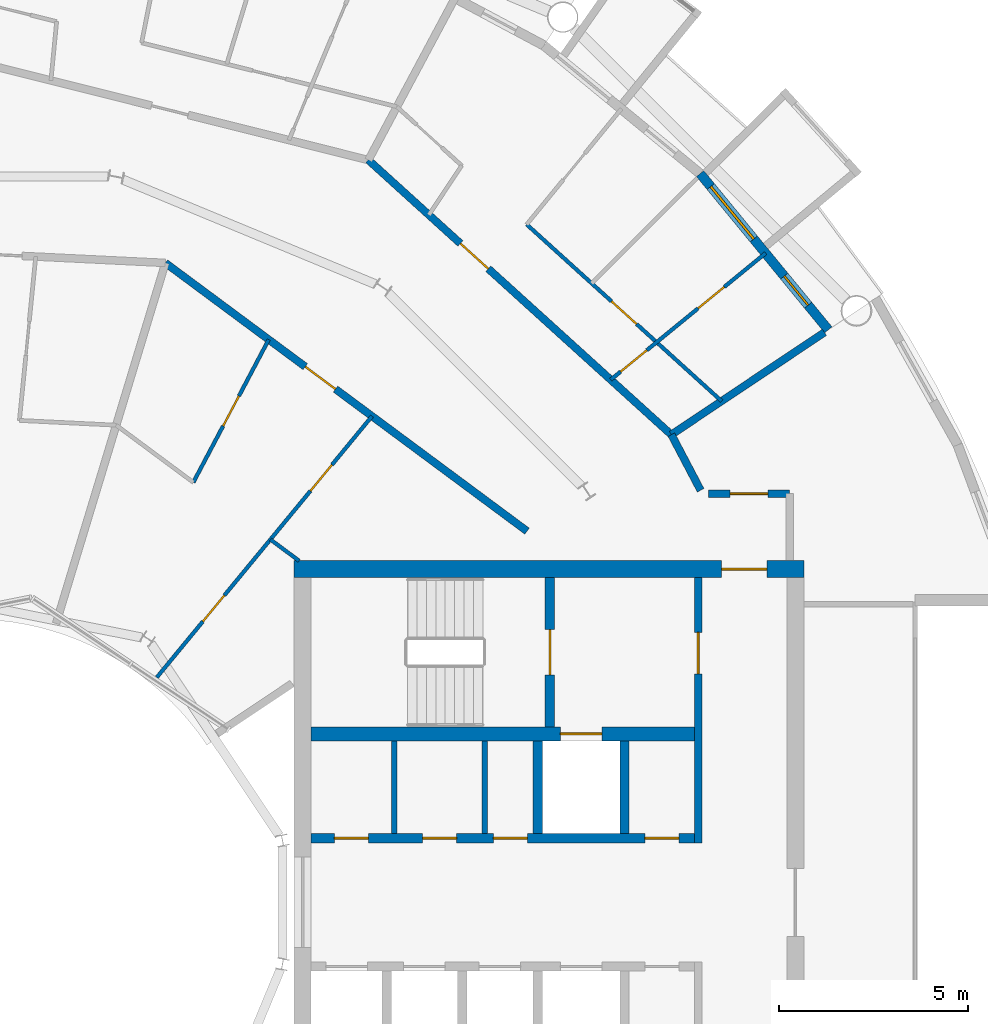
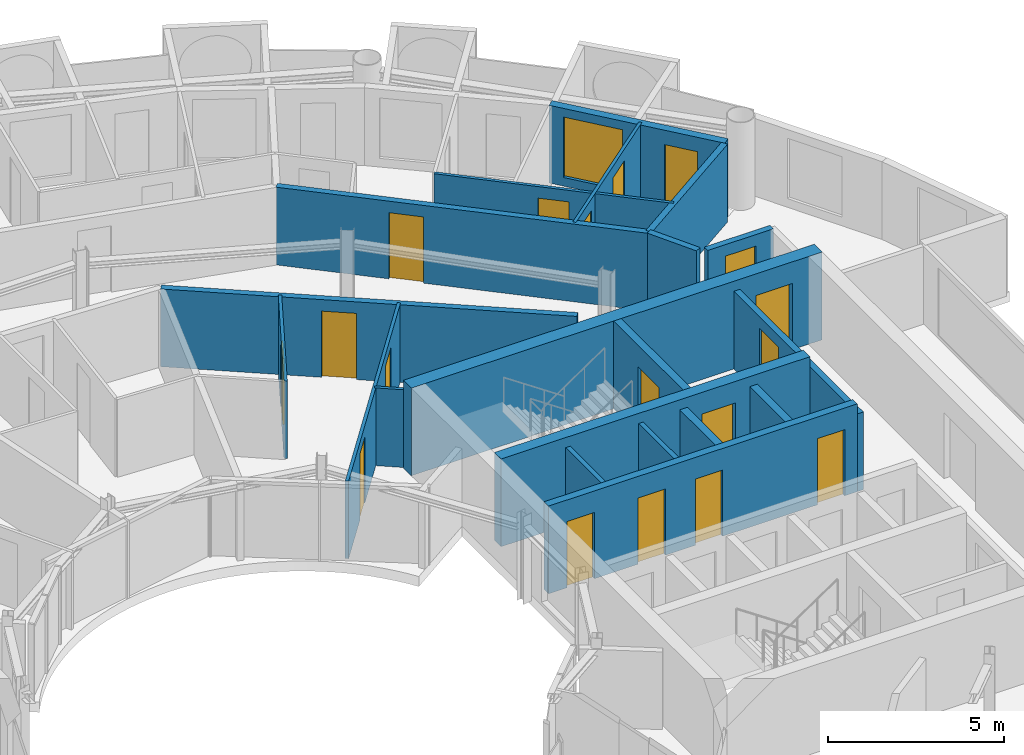
# One storey, part 23 of 29: 20 walls, 18 doors, 1 window, 19 openings.
"""IFC4 building model written with IfcOpenShell, lengths in metres."""

from ifc_helpers import new_model, si_unit, direction, frame, frame_2d, origin, place, context, subcontext, project, spatial, rectangle, extrude, material, layer, layer_set, type_object, element, fill, save


model = new_model("IFC4")

# Units and contexts
model_context = context("Model", 3, precision=1e-05, world=origin(), true_north=direction((0.0, 1.0)))
body_context = subcontext(model_context, "Body", "Model", "MODEL_VIEW")
ifc_project = project(units=[si_unit("LENGTHUNIT", "METRE"), si_unit("AREAUNIT", "SQUARE_METRE"), si_unit("VOLUMEUNIT", "CUBIC_METRE"), si_unit("PLANEANGLEUNIT", "RADIAN"), si_unit("MASSUNIT", "GRAM", prefix="KILO")], contexts=[model_context])

# Site, building, storey
site_placement = place(None, origin())
site = spatial("IfcSite", under=ifc_project, at=site_placement, CompositionType="ELEMENT")
building_placement = place(site_placement, origin())
building = spatial("IfcBuilding", under=site, at=building_placement, Name="Maasbend Ring Residences", CompositionType="ELEMENT")
storey_placement = place(building_placement, frame((0.0, 0.0, 193.25)))
storey = spatial("IfcBuildingStorey", under=building, at=storey_placement, Name="L55", CompositionType="ELEMENT", Elevation=193.25)

# Wall, openings, doors
ifc_material_1 = material(Name="Concrete C50/60", Category="concrete")
ifc_layer_1 = layer(ifc_material_1, 0.25)
ifc_layer_set_1 = layer_set([ifc_layer_1], Name="Concrete C50/60")
wall_type_1 = type_object("IfcWallType", Name="CORE WALL 250 C50/60", PredefinedType="SHEAR", material=ifc_layer_set_1)
wall_1_placement = place(storey_placement, frame((9.0, 1.699951171875, 0.0), z_axis=(0.0, 0.0, 1.0), x_axis=(1.0, 0.0, 0.0)))
wall_1 = element("IfcWall", 1, at=wall_1_placement, inside=storey, type_object=wall_type_1, Name="L55 core E wall SPN", PredefinedType="SHEAR", context=body_context, shape_type="SweptSolid", body=[
    extrude(rectangle(XDim=10.14990234375, YDim=0.25, at=frame_2d((5.074951171875, 0.0))), origin(), (0.0, 0.0, 1.0), 3.050048828125),
])
opening_1_placement = place(wall_1_placement, frame((0.612548828125, 0.0, 0.0)))
opening_1 = element("IfcOpeningElement", 2, at=opening_1_placement, cuts=wall_1, Name="Opening D-E5506", PredefinedType="OPENING", context=body_context, shape_type="SweptSolid", body=[
    extrude(rectangle(XDim=0.89990234375, YDim=2.300048828125, at=frame_2d((0.449951171875, 1.14990234375))), frame((0.0, 0.135009765625, 0.0), z_axis=(0.0, -1.0, 0.0), x_axis=(1.0, 0.0, 0.0)), (0.0, 0.0, 1.0), 0.27001953125),
])
opening_2_placement = place(wall_1_placement, frame((2.949951171875, 0.0, 0.0)))
opening_2 = element("IfcOpeningElement", 3, at=opening_2_placement, cuts=wall_1, Name="Opening D-E5507", PredefinedType="OPENING", context=body_context, shape_type="SweptSolid", body=[
    extrude(rectangle(XDim=0.89990234375, YDim=2.300048828125, at=frame_2d((0.449951171875, 1.14990234375))), frame((0.0, 0.135009765625, 0.0), z_axis=(0.0, -1.0, 0.0), x_axis=(1.0, 0.0, 0.0)), (0.0, 0.0, 1.0), 0.27001953125),
])
opening_3_placement = place(wall_1_placement, frame((4.824951171875, 0.0, 0.0)))
opening_3 = element("IfcOpeningElement", 4, at=opening_3_placement, cuts=wall_1, Name="Opening D-E5508", PredefinedType="OPENING", context=body_context, shape_type="SweptSolid", body=[
    extrude(rectangle(XDim=0.89990234375, YDim=2.300048828125, at=frame_2d((0.449951171875, 1.14990234375))), frame((0.0, 0.135009765625, 0.0), z_axis=(0.0, -1.0, 0.0), x_axis=(1.0, 0.0, 0.0)), (0.0, 0.0, 1.0), 0.27001953125),
])
opening_4_placement = place(wall_1_placement, frame((8.83740234375, 0.0, 0.0)))
opening_4 = element("IfcOpeningElement", 5, at=opening_4_placement, cuts=wall_1, Name="Opening D-E5509", PredefinedType="OPENING", context=body_context, shape_type="SweptSolid", body=[
    extrude(rectangle(XDim=0.89990234375, YDim=2.300048828125, at=frame_2d((0.449951171875, 1.14990234375))), frame((0.0, 0.135009765625, 0.0), z_axis=(0.0, -1.0, 0.0), x_axis=(1.0, 0.0, 0.0)), (0.0, 0.0, 1.0), 0.27001953125),
])
ifc_material_2 = material(Name="Steel, powder coated", Category="steel")
door_type_1 = type_object("IfcDoorType", Name="ROOM DOOR 900 X 2300 FD30S", OperationType="NOTDEFINED", PredefinedType="DOOR", material=ifc_material_2)
door_1_placement = place(opening_1_placement, origin())
door_1 = element("IfcDoor", 6, at=door_1_placement, inside=storey, type_object=door_type_1, Name="Room door L55", OperationType="SINGLE_SWING_RIGHT", OverallHeight=2.300048828125, OverallWidth=0.89990234375, PredefinedType="DOOR", context=body_context, shape_type="SweptSolid", body=[
    extrude(rectangle(XDim=0.89990234375, YDim=2.300048828125, at=frame_2d((0.449951171875, 1.14990234375))), frame((0.0, 0.02490234375, 0.0), z_axis=(0.0, -1.0, 0.0), x_axis=(1.0, 0.0, 0.0)), (0.0, 0.0, 1.0), 0.050048828125),
])
fill(opening_1, door_1)
door_2_placement = place(opening_2_placement, origin())
door_2 = element("IfcDoor", 7, at=door_2_placement, inside=storey, type_object=door_type_1, Name="Room door L55", OperationType="SINGLE_SWING_RIGHT", OverallHeight=2.300048828125, OverallWidth=0.89990234375, PredefinedType="DOOR", context=body_context, shape_type="SweptSolid", body=[
    extrude(rectangle(XDim=0.89990234375, YDim=2.300048828125, at=frame_2d((0.449951171875, 1.14990234375))), frame((0.0, 0.02490234375, 0.0), z_axis=(0.0, -1.0, 0.0), x_axis=(1.0, 0.0, 0.0)), (0.0, 0.0, 1.0), 0.050048828125),
])
fill(opening_2, door_2)
door_3_placement = place(opening_3_placement, origin())
door_3 = element("IfcDoor", 8, at=door_3_placement, inside=storey, type_object=door_type_1, Name="Room door L55", OperationType="SINGLE_SWING_LEFT", OverallHeight=2.300048828125, OverallWidth=0.89990234375, PredefinedType="DOOR", context=body_context, shape_type="SweptSolid", body=[
    extrude(rectangle(XDim=0.89990234375, YDim=2.300048828125, at=frame_2d((0.449951171875, 1.14990234375))), frame((0.0, 0.02490234375, 0.0), z_axis=(0.0, -1.0, 0.0), x_axis=(1.0, 0.0, 0.0)), (0.0, 0.0, 1.0), 0.050048828125),
])
fill(opening_3, door_3)
door_4_placement = place(opening_4_placement, origin())
door_4 = element("IfcDoor", 9, at=door_4_placement, inside=storey, type_object=door_type_1, Name="Room door L55", OperationType="SINGLE_SWING_LEFT", OverallHeight=2.300048828125, OverallWidth=0.89990234375, PredefinedType="DOOR", context=body_context, shape_type="SweptSolid", body=[
    extrude(rectangle(XDim=0.89990234375, YDim=2.300048828125, at=frame_2d((0.449951171875, 1.14990234375))), frame((0.0, 0.02490234375, 0.0), z_axis=(0.0, -1.0, 0.0), x_axis=(1.0, 0.0, 0.0)), (0.0, 0.0, 1.0), 0.050048828125),
])
fill(opening_4, door_4)

# Wall, opening, door
wall_2_placement = place(storey_placement, frame((15.324951171875, 4.64990234375, 0.0), z_axis=(0.0, 0.0, 1.0), x_axis=(0.0, 1.0, 0.0)))
wall_2 = element("IfcWall", 10, at=wall_2_placement, inside=storey, type_object=wall_type_1, Name="L55 core E wall STEN", PredefinedType="SHEAR", context=body_context, shape_type="SweptSolid", body=[
    extrude(rectangle(XDim=3.9501953125, YDim=0.25, at=frame_2d((1.97509765625, 0.0))), origin(), (0.0, 0.0, 1.0), 3.050048828125),
])
opening_5_placement = place(wall_2_placement, frame((1.375, 0.0, 0.0)))
opening_5 = element("IfcOpeningElement", 11, at=opening_5_placement, cuts=wall_2, Name="Opening D-E5512", PredefinedType="OPENING", context=body_context, shape_type="SweptSolid", body=[
    extrude(rectangle(XDim=1.199951171875, YDim=2.300048828125, at=frame_2d((0.60009765625, 1.14990234375))), frame((0.0, 0.135009765625, 0.0), z_axis=(0.0, -1.0, 0.0), x_axis=(1.0, 0.0, 0.0)), (0.0, 0.0, 1.0), 0.27001953125),
])
ifc_material_3 = material(Name="Steel, powder coated", Category="steel")
door_type_2 = type_object("IfcDoorType", Name="STAIR DOOR 1200 X 2300 FD60", OperationType="NOTDEFINED", PredefinedType="DOOR", material=ifc_material_3)
door_5_placement = place(opening_5_placement, origin())
door_5 = element("IfcDoor", 12, at=door_5_placement, inside=storey, type_object=door_type_2, Name="Stair door ST-E L55", OperationType="SINGLE_SWING_LEFT", OverallHeight=2.300048828125, OverallWidth=1.199951171875, PredefinedType="DOOR", context=body_context, shape_type="SweptSolid", body=[
    extrude(rectangle(XDim=1.199951171875, YDim=2.300048828125, at=frame_2d((0.60009765625, 1.14990234375))), frame((0.0, 0.02490234375, 0.0), z_axis=(0.0, -1.0, 0.0), x_axis=(1.0, 0.0, 0.0)), (0.0, 0.0, 1.0), 0.050048828125),
])
fill(opening_5, door_5)

ifc_material_4 = material(Name="Concrete C50/60", Category="concrete")
ifc_layer_2 = layer(ifc_material_4, 0.375)
ifc_layer_set_2 = layer_set([ifc_layer_2], Name="Concrete C50/60")
wall_type_2 = type_object("IfcWallType", Name="CORE WALL 375 C50/60", PredefinedType="SHEAR", material=ifc_layer_set_2)
wall_3_placement = place(storey_placement, frame((9.0, 4.46240234375, 0.0), z_axis=(0.0, 0.0, 1.0), x_axis=(1.0, 0.0, 0.0)))
wall_3 = element("IfcWall", 13, at=wall_3_placement, inside=storey, type_object=wall_type_2, Name="L55 core E wall BN", PredefinedType="SHEAR", context=body_context, shape_type="SweptSolid", body=[
    extrude(rectangle(XDim=10.14990234375, YDim=0.375, at=frame_2d((5.074951171875, 0.0))), origin(), (0.0, 0.0, 1.0), 3.050048828125),
])
opening_6_placement = place(wall_3_placement, frame((6.60009765625, 0.0, 0.0)))
opening_6 = element("IfcOpeningElement", 14, at=opening_6_placement, cuts=wall_3, Name="Opening LD-E5501", PredefinedType="OPENING", context=body_context, shape_type="SweptSolid", body=[
    extrude(rectangle(XDim=1.10009765625, YDim=2.300048828125, at=frame_2d((0.550048828125, 1.14990234375))), frame((0.0, 0.197509765625, 0.0), z_axis=(0.0, -1.0, 0.0), x_axis=(1.0, 0.0, 0.0)), (0.0, 0.0, 1.0), 0.39501953125),
])
ifc_material_5 = material(Name="Stainless steel 316", Category="steel")
door_type_3 = type_object("IfcDoorType", Name="LANDING DOOR 1100 X 2300 FD60", OperationType="DOUBLE_DOOR_SLIDING", PredefinedType="DOOR", material=ifc_material_5)
door_6_placement = place(opening_6_placement, origin())
door_6 = element("IfcDoor", 15, at=door_6_placement, inside=storey, type_object=door_type_3, Name="Landing door FF-E L55", OperationType="DOUBLE_DOOR_SLIDING", OverallHeight=2.300048828125, OverallWidth=1.10009765625, PredefinedType="DOOR", context=body_context, shape_type="SweptSolid", body=[
    extrude(rectangle(XDim=1.10009765625, YDim=2.300048828125, at=frame_2d((0.550048828125, 1.14990234375))), frame((0.0, 0.02490234375, 0.0), z_axis=(0.0, -1.0, 0.0), x_axis=(1.0, 0.0, 0.0)), (0.0, 0.0, 1.0), 0.050048828125),
])
fill(opening_6, door_6)

ifc_material_6 = material(Name="Concrete C50/60", Category="concrete")
ifc_layer_3 = layer(ifc_material_6, 0.449951171875)
ifc_layer_set_3 = layer_set([ifc_layer_3], Name="Concrete C50/60")
wall_type_3 = type_object("IfcWallType", Name="CORE WALL 450 C50/60", PredefinedType="SHEAR", material=ifc_layer_set_3)
wall_4_placement = place(storey_placement, frame((22.050048828125, 8.824951171875, 0.0), z_axis=(0.0, 0.0, 1.0), x_axis=(-1.0, 0.0, 0.0)))
wall_4 = element("IfcWall", 16, at=wall_4_placement, inside=storey, type_object=wall_type_3, Name="L55 core E wall PN", PredefinedType="SHEAR", context=body_context, shape_type="SweptSolid", body=[
    extrude(rectangle(XDim=13.5, YDim=0.449951171875, at=frame_2d((6.75, 0.0))), origin(), (0.0, 0.0, 1.0), 3.050048828125),
])
opening_7_placement = place(wall_4_placement, frame((0.97509765625, 0.0, 0.0)))
opening_7 = element("IfcOpeningElement", 17, at=opening_7_placement, cuts=wall_4, Name="Opening D-E5516", PredefinedType="OPENING", context=body_context, shape_type="SweptSolid", body=[
    extrude(rectangle(XDim=1.199951171875, YDim=2.300048828125, at=frame_2d((0.60009765625, 1.14990234375))), frame((0.0, 0.23486328125, 0.0), z_axis=(0.0, -1.0, 0.0), x_axis=(1.0, 0.0, 0.0)), (0.0, 0.0, 1.0), 0.469970703125),
])
ifc_material_7 = material(Name="Steel, powder coated", Category="steel")
door_type_4 = type_object("IfcDoorType", Name="CORRIDOR DOOR 1200 X 2300 FD30S", OperationType="NOTDEFINED", PredefinedType="DOOR", material=ifc_material_7)
door_7_placement = place(opening_7_placement, origin())
door_7 = element("IfcDoor", 18, at=door_7_placement, inside=storey, type_object=door_type_4, Name="Corridor door L55", OperationType="SINGLE_SWING_RIGHT", OverallHeight=2.300048828125, OverallWidth=1.199951171875, PredefinedType="DOOR", context=body_context, shape_type="SweptSolid", body=[
    extrude(rectangle(XDim=1.199951171875, YDim=2.300048828125, at=frame_2d((0.60009765625, 1.14990234375))), frame((0.0, 0.02490234375, 0.0), z_axis=(0.0, -1.0, 0.0), x_axis=(1.0, 0.0, 0.0)), (0.0, 0.0, 1.0), 0.050048828125),
])
fill(opening_7, door_7)

ifc_material_8 = material(Name="Concrete C30/37", Category="concrete")
ifc_layer_4 = layer(ifc_material_8, 0.199951171875)
ifc_layer_set_4 = layer_set([ifc_layer_4], Name="Concrete C30/37")
wall_type_4 = type_object("IfcWallType", Name="CORRIDOR WALL 200 CONCRETE", PredefinedType="PARTITIONING", material=ifc_layer_set_4)
wall_5_placement = place(storey_placement, frame((19.52294921875, 10.824951171875, 0.0), z_axis=(0.0, 0.0, 1.0), x_axis=(1.0, 0.0, 0.0)))
wall_5 = element("IfcWall", 19, at=wall_5_placement, inside=storey, type_object=wall_type_4, Name="U-L55-w094", PredefinedType="PARTITIONING", context=body_context, shape_type="SweptSolid", body=[
    extrude(rectangle(XDim=2.152099609375, YDim=0.199951171875, at=frame_2d((1.076171875, 0.0))), origin(), (0.0, 0.0, 1.0), 2.699951171875),
])
opening_8_placement = place(wall_5_placement, frame((0.575927734375, 0.0, 0.0)))
opening_8 = element("IfcOpeningElement", 20, at=opening_8_placement, cuts=wall_5, Name="Opening D-5574", PredefinedType="OPENING", context=body_context, shape_type="SweptSolid", body=[
    extrude(rectangle(XDim=1.0, YDim=2.300048828125, at=frame_2d((0.5, 1.14990234375))), frame((0.0, 0.10986328125, 0.0), z_axis=(0.0, -1.0, 0.0), x_axis=(1.0, 0.0, 0.0)), (0.0, 0.0, 1.0), 0.219970703125),
])
ifc_material_9 = material(Name="Timber, painted", Category="wood")
door_type_5 = type_object("IfcDoorType", Name="ROOM DOOR 1000 X 2300", OperationType="NOTDEFINED", PredefinedType="DOOR", material=ifc_material_9)
door_8_placement = place(opening_8_placement, origin())
door_8 = element("IfcDoor", 21, at=door_8_placement, inside=storey, type_object=door_type_5, Name="D-5574", OperationType="SINGLE_SWING_LEFT", OverallHeight=2.300048828125, OverallWidth=1.0, PredefinedType="DOOR", context=body_context, shape_type="SweptSolid", body=[
    extrude(rectangle(XDim=1.0, YDim=2.300048828125, at=frame_2d((0.5, 1.14990234375))), frame((0.0, 0.02490234375, 0.0), z_axis=(0.0, -1.0, 0.0), x_axis=(1.0, 0.0, 0.0)), (0.0, 0.0, 1.0), 0.050048828125),
])
fill(opening_8, door_8)

wall_6_placement = place(storey_placement, frame((5.136962890625, 16.93798828125, 0.0), z_axis=(0.0, 0.0, 1.0), x_axis=(0.803240181354, -0.595655278712, 0.0)))
wall_6 = element("IfcWall", 22, at=wall_6_placement, inside=storey, type_object=wall_type_4, Name="U-L55-w102", PredefinedType="PARTITIONING", context=body_context, shape_type="SweptSolid", body=[
    extrude(rectangle(XDim=11.927978515625, YDim=0.199951171875, at=frame_2d((5.9638671875, 0.0))), origin(), (0.0, 0.0, 1.0), 2.699951171875),
])
opening_9_placement = place(wall_6_placement, frame((4.612060546875, 0.0, 0.0)))
opening_9 = element("IfcOpeningElement", 23, at=opening_9_placement, cuts=wall_6, Name="Opening D-5525", PredefinedType="OPENING", context=body_context, shape_type="SweptSolid", body=[
    extrude(rectangle(XDim=1.0, YDim=2.300048828125, at=frame_2d((0.5, 1.14990234375))), frame((0.0, 0.10986328125, 0.0), z_axis=(0.0, -1.0, 0.0), x_axis=(1.0, 0.0, 0.0)), (0.0, 0.0, 1.0), 0.219970703125),
])
ifc_material_10 = material(Name="Timber, fire-rated, painted", Category="wood")
door_type_6 = type_object("IfcDoorType", Name="FLAT ENTRANCE DOOR 1000 X 2300 FIRE-RATED", OperationType="NOTDEFINED", PredefinedType="DOOR", material=ifc_material_10)
door_9_placement = place(opening_9_placement, origin())
door_9 = element("IfcDoor", 24, at=door_9_placement, inside=storey, type_object=door_type_6, Name="D-5525", OperationType="SINGLE_SWING_LEFT", OverallHeight=2.300048828125, OverallWidth=1.0, PredefinedType="DOOR", context=body_context, shape_type="SweptSolid", body=[
    extrude(rectangle(XDim=1.0, YDim=2.300048828125, at=frame_2d((0.5, 1.14990234375))), frame((0.0, 0.02490234375, 0.0), z_axis=(0.0, -1.0, 0.0), x_axis=(1.0, 0.0, 0.0)), (0.0, 0.0, 1.0), 0.050048828125),
])
fill(opening_9, door_9)

wall_7_placement = place(storey_placement, frame((10.511962890625, 19.6669921875, 0.0), z_axis=(0.0, 0.0, 1.0), x_axis=(0.740853508928, -0.671666642248, 0.0)))
wall_7 = element("IfcWall", 25, at=wall_7_placement, inside=storey, type_object=wall_type_4, Name="U-L55-w107", PredefinedType="PARTITIONING", context=body_context, shape_type="SweptSolid", body=[
    extrude(rectangle(XDim=10.840087890625, YDim=0.199951171875, at=frame_2d((5.419921875, 0.0))), origin(), (0.0, 0.0, 1.0), 2.699951171875),
])
opening_10_placement = place(wall_7_placement, frame((3.29296875, 0.0, 0.0)))
opening_10 = element("IfcOpeningElement", 26, at=opening_10_placement, cuts=wall_7, Name="Opening D-5501", PredefinedType="OPENING", context=body_context, shape_type="SweptSolid", body=[
    extrude(rectangle(XDim=1.0, YDim=2.300048828125, at=frame_2d((0.5, 1.14990234375))), frame((0.0, 0.10986328125, 0.0), z_axis=(0.0, -1.0, 0.0), x_axis=(1.0, 0.0, 0.0)), (0.0, 0.0, 1.0), 0.219970703125),
])
door_10_placement = place(opening_10_placement, origin())
door_10 = element("IfcDoor", 27, at=door_10_placement, inside=storey, type_object=door_type_6, Name="D-5501", OperationType="SINGLE_SWING_LEFT", OverallHeight=2.300048828125, OverallWidth=1.0, PredefinedType="DOOR", context=body_context, shape_type="SweptSolid", body=[
    extrude(rectangle(XDim=1.0, YDim=2.300048828125, at=frame_2d((0.5, 1.14990234375))), frame((0.0, 0.02490234375, 0.0), z_axis=(0.0, -1.0, 0.0), x_axis=(1.0, 0.0, 0.0)), (0.0, 0.0, 1.0), 0.050048828125),
])
fill(opening_10, door_10)

# Wall
wall_8_placement = place(storey_placement, frame((18.5419921875, 12.388916015625, 0.0), z_axis=(0.0, 0.0, 1.0), x_axis=(0.465359652486, -0.885121683068, 0.0)))
element("IfcWall", 28, at=wall_8_placement, inside=storey, type_object=wall_type_4, Name="U-L55-w111", PredefinedType="PARTITIONING", context=body_context, shape_type="SweptSolid", body=[
    extrude(rectangle(XDim=1.665283203125, YDim=0.199951171875, at=frame_2d((0.83251953125, 0.0))), origin(), (0.0, 0.0, 1.0), 2.699951171875),
])

# Wall, openings, door, window
ifc_material_11 = material(Name="Aluminium clad insulated panel", Category="aluminium")
ifc_layer_5 = layer(ifc_material_11, 0.25)
ifc_layer_set_5 = layer_set([ifc_layer_5], Name="EW-GL")
wall_type_5 = type_object("IfcWallType", Name="EW-GL", PredefinedType="SOLIDWALL", material=ifc_layer_set_5)
wall_9_placement = place(storey_placement, frame((22.698974609375, 15.1669921875, 0.0), z_axis=(0.0, 0.0, 1.0), x_axis=(-0.634382322723, 0.773019449054, 0.0)))
wall_9 = element("IfcWall", 29, at=wall_9_placement, inside=storey, type_object=wall_type_5, Name="External wall N01", PredefinedType="SOLIDWALL", context=body_context, shape_type="SweptSolid", body=[
    extrude(rectangle(XDim=5.351806640625, YDim=0.25, at=frame_2d((2.67578125, 0.0))), origin(), (0.0, 0.0, 1.0), 2.699951171875),
])
opening_11_placement = place(wall_9_placement, frame((0.841064453125, 0.0, 0.0)))
opening_11 = element("IfcOpeningElement", 30, at=opening_11_placement, cuts=wall_9, Name="Opening D-LG", PredefinedType="OPENING", context=body_context, shape_type="SweptSolid", body=[
    extrude(rectangle(XDim=1.0, YDim=2.199951171875, at=frame_2d((0.5, 1.10009765625))), frame((0.0, 0.135009765625, 0.0), z_axis=(0.0, -1.0, 0.0), x_axis=(1.0, 0.0, 0.0)), (0.0, 0.0, 1.0), 0.27001953125),
])
opening_12_placement = place(wall_9_placement, frame((3.110595703125, 0.0, 0.300048828125)))
opening_12 = element("IfcOpeningElement", 31, at=opening_12_placement, cuts=wall_9, Name="Opening W-BX", PredefinedType="OPENING", context=body_context, shape_type="SweptSolid", body=[
    extrude(rectangle(XDim=1.800048828125, YDim=2.10009765625, at=frame_2d((0.89990234375, 1.050048828125))), frame((0.0, 0.135009765625, 0.0), z_axis=(0.0, -1.0, 0.0), x_axis=(1.0, 0.0, 0.0)), (0.0, 0.0, 1.0), 0.27001953125),
])
ifc_material_12 = material(Name="Aluminium and clear glass", Category="aluminium")
door_type_7 = type_object("IfcDoorType", Name="D-LG", OperationType="SINGLE_SWING_LEFT", PredefinedType="DOOR", material=ifc_material_12)
door_11_placement = place(opening_11_placement, origin())
door_11 = element("IfcDoor", 32, at=door_11_placement, inside=storey, type_object=door_type_7, Name="Loggia door N01", OperationType="SINGLE_SWING_LEFT", OverallHeight=2.199951171875, OverallWidth=1.0, PredefinedType="DOOR", context=body_context, shape_type="SweptSolid", body=[
    extrude(rectangle(XDim=1.0, YDim=2.199951171875, at=frame_2d((0.5, 1.10009765625))), frame((0.0, 0.02490234375, 0.0), z_axis=(0.0, -1.0, 0.0), x_axis=(1.0, 0.0, 0.0)), (0.0, 0.0, 1.0), 0.050048828125),
])
fill(opening_11, door_11)
ifc_material_13 = material(Name="Aluminium and clear glass", Category="aluminium")
window_type = type_object("IfcWindowType", Name="W-BX", PartitioningType="DOUBLE_PANEL_VERTICAL", PredefinedType="WINDOW", material=ifc_material_13)
window_placement = place(opening_12_placement, origin())
window = element("IfcWindow", 33, at=window_placement, inside=storey, type_object=window_type, Name="Window N02 room to box", OverallHeight=2.10009765625, OverallWidth=1.800048828125, PartitioningType="SINGLE_PANEL", PredefinedType="WINDOW", context=body_context, shape_type="SweptSolid", body=[
    extrude(rectangle(XDim=1.800048828125, YDim=2.10009765625, at=frame_2d((0.89990234375, 1.050048828125))), frame((0.0, 0.030029296875, 0.0), z_axis=(0.0, -1.0, 0.0), x_axis=(1.0, 0.0, 0.0)), (0.0, 0.0, 1.0), 0.06005859375),
])
fill(opening_12, window)

# Wall, openings, doors
ifc_material_14 = material(Name="Gypsum board on steel studs", Category="steel")
ifc_layer_6 = layer(ifc_material_14, 0.10009765625)
ifc_layer_set_6 = layer_set([ifc_layer_6], Name="PARTITION 100 GYPSUM")
wall_type_6 = type_object("IfcWallType", Name="PARTITION 100 GYPSUM", PredefinedType="PARTITIONING", material=ifc_layer_set_6)
wall_10_placement = place(storey_placement, frame((4.908935546875, 5.9580078125, 0.0), z_axis=(0.0, 0.0, 1.0), x_axis=(0.635879010442, 0.771788756124, 0.0)))
wall_10 = element("IfcWall", 34, at=wall_10_placement, inside=storey, type_object=wall_type_6, Name="U-L55-w073", PredefinedType="PARTITIONING", context=body_context, shape_type="SweptSolid", body=[
    extrude(rectangle(XDim=8.96728515625, YDim=0.10009765625, at=frame_2d((4.483642578125, 0.0))), origin(), (0.0, 0.0, 1.0), 2.699951171875),
])
opening_13_placement = place(wall_10_placement, frame((6.39990234375, 0.0, 0.0)))
opening_13 = element("IfcOpeningElement", 35, at=opening_13_placement, cuts=wall_10, Name="Opening D-5527", PredefinedType="OPENING", context=body_context, shape_type="SweptSolid", body=[
    extrude(rectangle(XDim=0.89990234375, YDim=2.300048828125, at=frame_2d((0.449951171875, 1.14990234375))), frame((0.0, 0.06005859375, 0.0), z_axis=(0.0, -1.0, 0.0), x_axis=(1.0, 0.0, 0.0)), (0.0, 0.0, 1.0), 0.1201171875),
])
opening_14_placement = place(wall_10_placement, frame((1.9169921875, 0.0, 0.0)))
opening_14 = element("IfcOpeningElement", 36, at=opening_14_placement, cuts=wall_10, Name="Opening D-5528", PredefinedType="OPENING", context=body_context, shape_type="SweptSolid", body=[
    extrude(rectangle(XDim=0.89990234375, YDim=2.300048828125, at=frame_2d((0.449951171875, 1.14990234375))), frame((0.0, 0.06005859375, 0.0), z_axis=(0.0, -1.0, 0.0), x_axis=(1.0, 0.0, 0.0)), (0.0, 0.0, 1.0), 0.1201171875),
])
ifc_material_15 = material(Name="Timber, painted", Category="wood")
door_type_8 = type_object("IfcDoorType", Name="INTERNAL DOOR 900 X 2300", OperationType="NOTDEFINED", PredefinedType="DOOR", material=ifc_material_15)
door_12_placement = place(opening_13_placement, origin())
door_12 = element("IfcDoor", 37, at=door_12_placement, inside=storey, type_object=door_type_8, Name="D-5527", OperationType="SINGLE_SWING_RIGHT", OverallHeight=2.300048828125, OverallWidth=0.89990234375, PredefinedType="DOOR", context=body_context, shape_type="SweptSolid", body=[
    extrude(rectangle(XDim=0.89990234375, YDim=2.300048828125, at=frame_2d((0.449951171875, 1.14990234375))), frame((0.0, 0.02490234375, 0.0), z_axis=(0.0, -1.0, 0.0), x_axis=(1.0, 0.0, 0.0)), (0.0, 0.0, 1.0), 0.050048828125),
])
fill(opening_13, door_12)
door_13_placement = place(opening_14_placement, origin())
door_13 = element("IfcDoor", 38, at=door_13_placement, inside=storey, type_object=door_type_8, Name="D-5528", OperationType="SINGLE_SWING_LEFT", OverallHeight=2.300048828125, OverallWidth=0.89990234375, PredefinedType="DOOR", context=body_context, shape_type="SweptSolid", body=[
    extrude(rectangle(XDim=0.89990234375, YDim=2.300048828125, at=frame_2d((0.449951171875, 1.14990234375))), frame((0.0, 0.02490234375, 0.0), z_axis=(0.0, -1.0, 0.0), x_axis=(1.0, 0.0, 0.0)), (0.0, 0.0, 1.0), 0.050048828125),
])
fill(opening_14, door_13)

# Wall, opening, door
wall_11_placement = place(storey_placement, frame((5.876953125, 11.125, 0.0), z_axis=(0.0, 0.0, 1.0), x_axis=(0.467030118529, 0.884241408432, 0.0)))
wall_11 = element("IfcWall", 39, at=wall_11_placement, inside=storey, type_object=wall_type_6, Name="U-L55-w075", PredefinedType="PARTITIONING", context=body_context, shape_type="SweptSolid", body=[
    extrude(rectangle(XDim=4.278076171875, YDim=0.10009765625, at=frame_2d((2.13916015625, 0.0))), origin(), (0.0, 0.0, 1.0), 2.699951171875),
])
opening_15_placement = place(wall_11_placement, frame((1.68896484375, 0.0, 0.0)))
opening_15 = element("IfcOpeningElement", 40, at=opening_15_placement, cuts=wall_11, Name="Opening D-5526", PredefinedType="OPENING", context=body_context, shape_type="SweptSolid", body=[
    extrude(rectangle(XDim=0.89990234375, YDim=2.300048828125, at=frame_2d((0.449951171875, 1.14990234375))), frame((0.0, 0.06005859375, 0.0), z_axis=(0.0, -1.0, 0.0), x_axis=(1.0, 0.0, 0.0)), (0.0, 0.0, 1.0), 0.1201171875),
])
door_14_placement = place(opening_15_placement, origin())
door_14 = element("IfcDoor", 41, at=door_14_placement, inside=storey, type_object=door_type_8, Name="D-5526", OperationType="SINGLE_SWING_RIGHT", OverallHeight=2.300048828125, OverallWidth=0.89990234375, PredefinedType="DOOR", context=body_context, shape_type="SweptSolid", body=[
    extrude(rectangle(XDim=0.89990234375, YDim=2.300048828125, at=frame_2d((0.449951171875, 1.14990234375))), frame((0.0, 0.02490234375, 0.0), z_axis=(0.0, -1.0, 0.0), x_axis=(1.0, 0.0, 0.0)), (0.0, 0.0, 1.0), 0.050048828125),
])
fill(opening_15, door_14)

# Wall, openings, doors
wall_12_placement = place(storey_placement, frame((16.93603515625, 13.844970703125, 0.0), z_axis=(0.0, 0.0, 1.0), x_axis=(0.774310172558, 0.632806255241, 0.0)))
wall_12 = element("IfcWall", 42, at=wall_12_placement, inside=storey, type_object=wall_type_6, Name="U-L55-w088", PredefinedType="PARTITIONING", context=body_context, shape_type="SweptSolid", body=[
    extrude(rectangle(XDim=5.30029296875, YDim=0.10009765625, at=frame_2d((2.650146484375, 0.0))), origin(), (0.0, 0.0, 1.0), 2.699951171875),
])
opening_16_placement = place(wall_12_placement, frame((0.3349609375, 0.0, 0.0)))
opening_16 = element("IfcOpeningElement", 43, at=opening_16_placement, cuts=wall_12, Name="Opening D-5503", PredefinedType="OPENING", context=body_context, shape_type="SweptSolid", body=[
    extrude(rectangle(XDim=0.89990234375, YDim=2.300048828125, at=frame_2d((0.449951171875, 1.14990234375))), frame((0.0, 0.06005859375, 0.0), z_axis=(0.0, -1.0, 0.0), x_axis=(1.0, 0.0, 0.0)), (0.0, 0.0, 1.0), 0.1201171875),
])
opening_17_placement = place(wall_12_placement, frame((2.985107421875, 0.0, 0.0)))
opening_17 = element("IfcOpeningElement", 44, at=opening_17_placement, cuts=wall_12, Name="Opening D-5506", PredefinedType="OPENING", context=body_context, shape_type="SweptSolid", body=[
    extrude(rectangle(XDim=0.89990234375, YDim=2.300048828125, at=frame_2d((0.449951171875, 1.14990234375))), frame((0.0, 0.06005859375, 0.0), z_axis=(0.0, -1.0, 0.0), x_axis=(1.0, 0.0, 0.0)), (0.0, 0.0, 1.0), 0.1201171875),
])
door_15_placement = place(opening_16_placement, origin())
door_15 = element("IfcDoor", 45, at=door_15_placement, inside=storey, type_object=door_type_8, Name="D-5503", OperationType="SINGLE_SWING_LEFT", OverallHeight=2.300048828125, OverallWidth=0.89990234375, PredefinedType="DOOR", context=body_context, shape_type="SweptSolid", body=[
    extrude(rectangle(XDim=0.89990234375, YDim=2.300048828125, at=frame_2d((0.449951171875, 1.14990234375))), frame((0.0, 0.02490234375, 0.0), z_axis=(0.0, -1.0, 0.0), x_axis=(1.0, 0.0, 0.0)), (0.0, 0.0, 1.0), 0.050048828125),
])
fill(opening_16, door_15)
door_16_placement = place(opening_17_placement, origin())
door_16 = element("IfcDoor", 46, at=door_16_placement, inside=storey, type_object=door_type_8, Name="D-5506", OperationType="SINGLE_SWING_RIGHT", OverallHeight=2.300048828125, OverallWidth=0.89990234375, PredefinedType="DOOR", context=body_context, shape_type="SweptSolid", body=[
    extrude(rectangle(XDim=0.89990234375, YDim=2.300048828125, at=frame_2d((0.449951171875, 1.14990234375))), frame((0.0, 0.02490234375, 0.0), z_axis=(0.0, -1.0, 0.0), x_axis=(1.0, 0.0, 0.0)), (0.0, 0.0, 1.0), 0.050048828125),
])
fill(opening_17, door_16)

# Wall
wall_13_placement = place(storey_placement, frame((7.922119140625, 9.60888671875, 0.0), z_axis=(0.0, 0.0, 1.0), x_axis=(0.802974061841, -0.596013972999, 0.0)))
element("IfcWall", 47, at=wall_13_placement, inside=storey, type_object=wall_type_6, Name="U-L55-w098", PredefinedType="PARTITIONING", context=body_context, shape_type="SweptSolid", body=[
    extrude(rectangle(XDim=0.942626953125, YDim=0.10009765625, at=frame_2d((0.47119140625, 0.0))), origin(), (0.0, 0.0, 1.0), 2.699951171875),
])

# Wall, opening, door
wall_14_placement = place(storey_placement, frame((14.708984375, 17.9580078125, 0.0), z_axis=(0.0, 0.0, 1.0), x_axis=(0.740923753351, -0.671589153962, 0.0)))
wall_14 = element("IfcWall", 48, at=wall_14_placement, inside=storey, type_object=wall_type_6, Name="U-L55-w119", PredefinedType="PARTITIONING", context=body_context, shape_type="SweptSolid", body=[
    extrude(rectangle(XDim=6.968505859375, YDim=0.10009765625, at=frame_2d((3.484375, 0.0))), origin(), (0.0, 0.0, 1.0), 2.699951171875),
])
opening_18_placement = place(wall_14_placement, frame((3.033935546875, 0.0, 0.0)))
opening_18 = element("IfcOpeningElement", 49, at=opening_18_placement, cuts=wall_14, Name="Opening D-5505", PredefinedType="OPENING", context=body_context, shape_type="SweptSolid", body=[
    extrude(rectangle(XDim=0.89990234375, YDim=2.300048828125, at=frame_2d((0.449951171875, 1.14990234375))), frame((0.0, 0.06005859375, 0.0), z_axis=(0.0, -1.0, 0.0), x_axis=(1.0, 0.0, 0.0)), (0.0, 0.0, 1.0), 0.1201171875),
])
door_17_placement = place(opening_18_placement, origin())
door_17 = element("IfcDoor", 50, at=door_17_placement, inside=storey, type_object=door_type_8, Name="D-5505", OperationType="SINGLE_SWING_LEFT", OverallHeight=2.300048828125, OverallWidth=0.89990234375, PredefinedType="DOOR", context=body_context, shape_type="SweptSolid", body=[
    extrude(rectangle(XDim=0.89990234375, YDim=2.300048828125, at=frame_2d((0.449951171875, 1.14990234375))), frame((0.0, 0.02490234375, 0.0), z_axis=(0.0, -1.0, 0.0), x_axis=(1.0, 0.0, 0.0)), (0.0, 0.0, 1.0), 0.050048828125),
])
fill(opening_18, door_17)

# Walls
ifc_material_16 = material(Name="Gypsum board on steel studs", Category="steel")
ifc_layer_7 = layer(ifc_material_16, 0.14990234375)
ifc_layer_set_7 = layer_set([ifc_layer_7], Name="PARTITION 150 EI 60")
wall_type_7 = type_object("IfcWallType", Name="PARTITION 150 EI 60", PredefinedType="PARTITIONING", material=ifc_layer_set_7)
for number, where, z_axis, x_axis, name in (
    (51, (11.199951171875, 1.824951171875, 0.0), (0.0, 0.0, 1.0), (0.0, 1.0, 0.0), "L55 core E wall PRN1120"),
    (52, (13.60009765625, 1.824951171875, 0.0), (0.0, 0.0, 1.0), (0.0, 1.0, 0.0), "L55 core E wall PRN1360"),
):
    element("IfcWall", number, at=place(storey_placement, frame(where, z_axis=z_axis, x_axis=x_axis)), inside=storey, type_object=wall_type_7, Name=name, PredefinedType="PARTITIONING", context=body_context, shape_type="SweptSolid", body=[
        extrude(rectangle(XDim=2.449951171875, YDim=0.14990234375, at=frame_2d((1.22509765625, 0.0))), origin(), (0.0, 0.0, 1.0), 2.699951171875),
    ])
ifc_material_17 = material(Name="Concrete C30/37", Category="concrete")
ifc_layer_8 = layer(ifc_material_17, 0.199951171875)
ifc_layer_set_8 = layer_set([ifc_layer_8], Name="Concrete C30/37")
wall_type_8 = type_object("IfcWallType", Name="PARTY WALL 200 CONCRETE", PredefinedType="PARTITIONING", material=ifc_layer_set_8)
wall_15_placement = place(storey_placement, frame((18.5419921875, 12.388916015625, 0.0), z_axis=(0.0, 0.0, 1.0), x_axis=(0.831387096605, 0.55569370664, 0.0)))
element("IfcWall", 53, at=wall_15_placement, inside=storey, type_object=wall_type_8, Name="U-L55-w090", PredefinedType="PARTITIONING", context=body_context, shape_type="SweptSolid", body=[
    extrude(rectangle(XDim=4.875, YDim=0.199951171875, at=frame_2d((2.4375, 0.0))), origin(), (0.0, 0.0, 1.0), 2.699951171875),
])

# Wall, opening, door
ifc_material_18 = material(Name="Concrete C30/37", Category="concrete")
ifc_layer_9 = layer(ifc_material_18, 0.199951171875)
ifc_layer_set_9 = layer_set([ifc_layer_9], Name="Concrete C30/37")
wall_type_9 = type_object("IfcWallType", Name="SHAFT WALL 200 EI 120", PredefinedType="SOLIDWALL", material=ifc_layer_set_9)
wall_16_placement = place(storey_placement, frame((19.25, 1.574951171875, 0.0), z_axis=(0.0, 0.0, 1.0), x_axis=(0.0, 1.0, 0.0)))
wall_16 = element("IfcWall", 54, at=wall_16_placement, inside=storey, type_object=wall_type_9, Name="L55 core E wall ENDN", PredefinedType="SOLIDWALL", context=body_context, shape_type="SweptSolid", body=[
    extrude(rectangle(XDim=7.025146484375, YDim=0.199951171875, at=frame_2d((3.5126953125, 0.0))), origin(), (0.0, 0.0, 1.0), 2.699951171875),
])
opening_19_placement = place(wall_16_placement, frame((4.47509765625, 0.0, 0.0)))
opening_19 = element("IfcOpeningElement", 55, at=opening_19_placement, cuts=wall_16, Name="Opening D-E5514", PredefinedType="OPENING", context=body_context, shape_type="SweptSolid", body=[
    extrude(rectangle(XDim=1.10009765625, YDim=2.300048828125, at=frame_2d((0.550048828125, 1.14990234375))), frame((0.0, 0.10986328125, 0.0), z_axis=(0.0, -1.0, 0.0), x_axis=(1.0, 0.0, 0.0)), (0.0, 0.0, 1.0), 0.219970703125),
])
ifc_material_19 = material(Name="Steel, powder coated", Category="steel")
door_type_9 = type_object("IfcDoorType", Name="LOBBY DOOR 1100 X 2300 FD60", OperationType="NOTDEFINED", PredefinedType="DOOR", material=ifc_material_19)
door_18_placement = place(opening_19_placement, origin())
door_18 = element("IfcDoor", 56, at=door_18_placement, inside=storey, type_object=door_type_9, Name="Lobby door L55", OperationType="SINGLE_SWING_LEFT", OverallHeight=2.300048828125, OverallWidth=1.10009765625, PredefinedType="DOOR", context=body_context, shape_type="SweptSolid", body=[
    extrude(rectangle(XDim=1.10009765625, YDim=2.300048828125, at=frame_2d((0.550048828125, 1.14990234375))), frame((0.0, 0.02490234375, 0.0), z_axis=(0.0, -1.0, 0.0), x_axis=(1.0, 0.0, 0.0)), (0.0, 0.0, 1.0), 0.050048828125),
])
fill(opening_19, door_18)

# Walls
ifc_material_20 = material(Name="Concrete C30/37", Category="concrete")
ifc_layer_10 = layer(ifc_material_20, 0.25)
ifc_layer_set_10 = layer_set([ifc_layer_10], Name="Concrete C30/37")
wall_type_10 = type_object("IfcWallType", Name="SHAFT WALL 250 EI 120", PredefinedType="SOLIDWALL", material=ifc_layer_set_10)
for number, where, z_axis, x_axis, name in (
    (57, (15.0, 1.824951171875, 0.0), (0.0, 0.0, 1.0), (0.0, 1.0, 0.0), "L55 core E wall D150N"),
    (58, (17.300048828125, 1.824951171875, 0.0), (0.0, 0.0, 1.0), (0.0, 1.0, 0.0), "L55 core E wall D173N"),
):
    element("IfcWall", number, at=place(storey_placement, frame(where, z_axis=z_axis, x_axis=x_axis)), inside=storey, type_object=wall_type_10, Name=name, PredefinedType="SOLIDWALL", context=body_context, shape_type="SweptSolid", body=[
        extrude(rectangle(XDim=2.449951171875, YDim=0.25, at=frame_2d((1.22509765625, 0.0))), origin(), (0.0, 0.0, 1.0), 2.699951171875),
    ])

save(model, "model.ifc")
